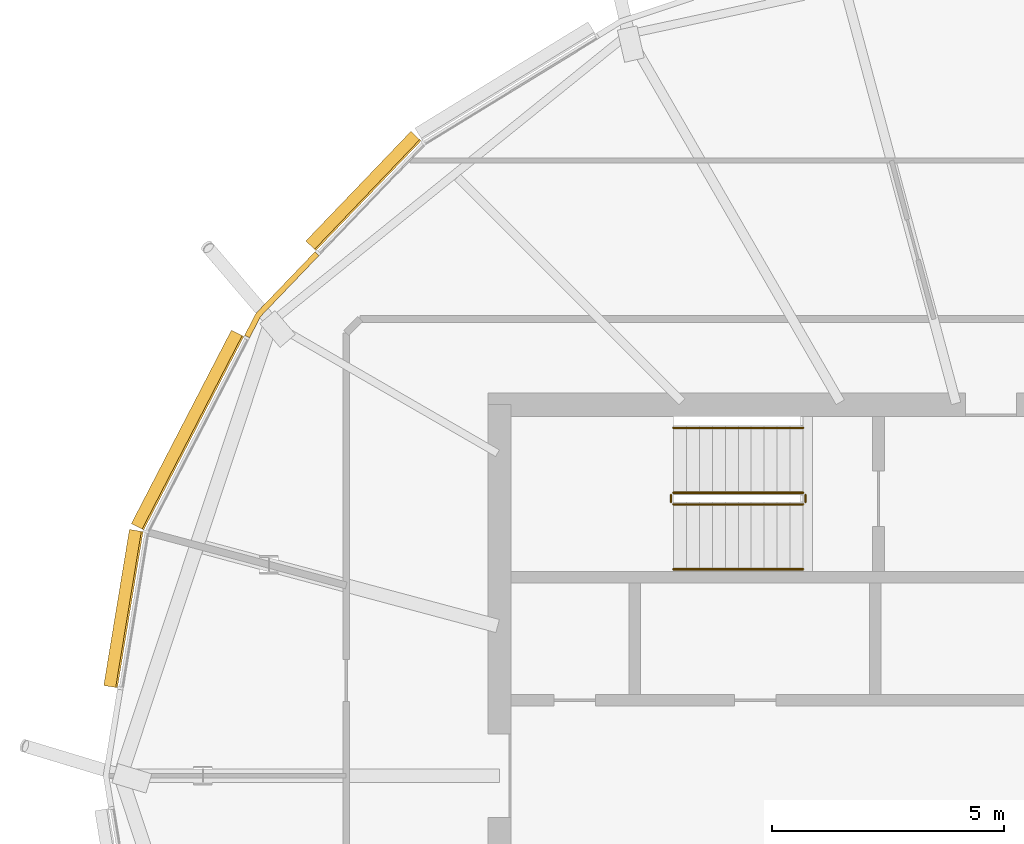
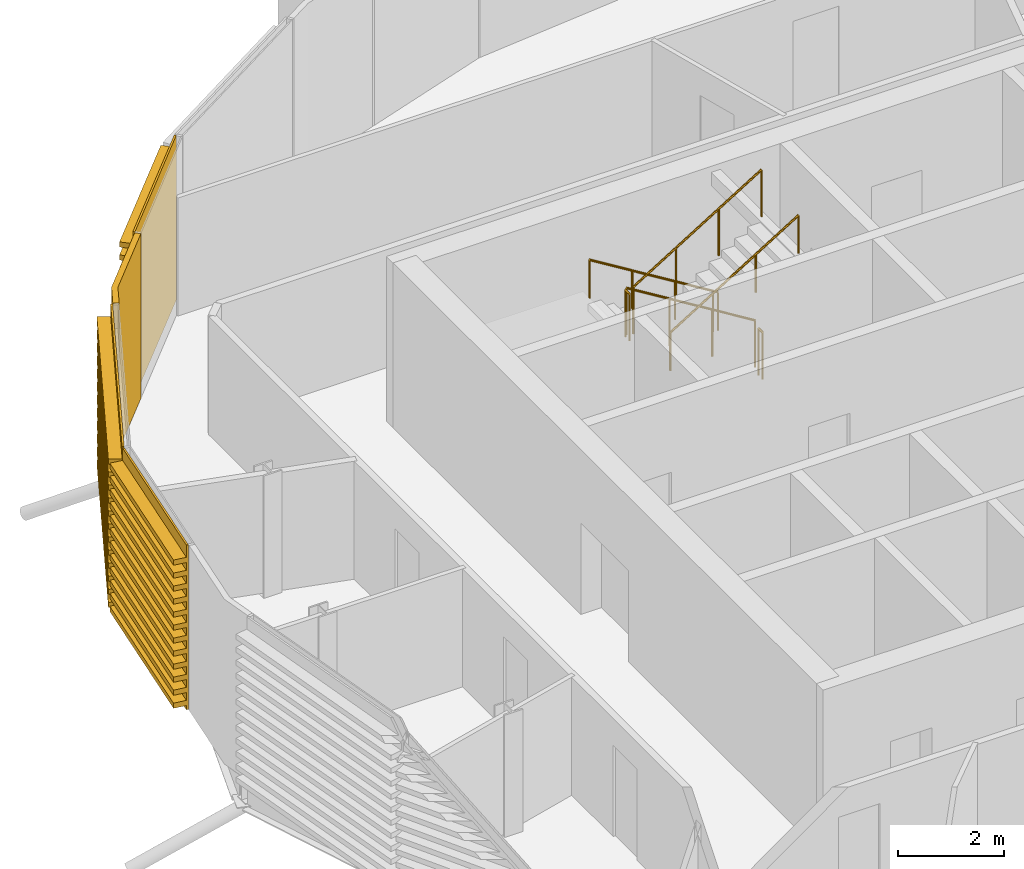
# One storey, part 29 of 33: 6 railings, 4 coverings.
"""IFC4 building model written with IfcOpenShell, lengths in metres."""

import ifcopenshell
import ifcopenshell.guid

model = None  # the IFC model being written
_history = None  # IfcOwnerHistory: only IFC2X3 demands one
_inside = {}  # id of a spatial element -> (the spatial element, [elements in it])
_under = {}  # id of a project, library or spatial element -> (it, [spatial elements below it])
_declared = {}  # id of a project -> (the project, [libraries it declares])
_typed = {}  # id of a type object -> (the type object, [elements of that type])
_made_of = {}  # id of a material, layer set ... -> (it, [elements and type objects made of it])


def new_model(schema):
    """Start an empty IFC model of exactly this schema.

    Asked for "IFC4X3", IfcOpenShell would pick the latest addendum, in which some entities
    have other attributes; the version numbers below select the first issue.
    IFC2X3 requires an IfcOwnerHistory on every rooted entity: one is made here for all.
    """
    global model, _history
    if schema == "IFC4X3":
        model = ifcopenshell.file(schema_version=(4, 3, 0, 0))
    else:
        model = ifcopenshell.file(schema=schema)
    _inside.clear()
    _under.clear()
    _declared.clear()
    _typed.clear()
    _made_of.clear()
    _history = None
    if model.schema == "IFC2X3":
        org = make("IfcOrganization", Name="unknown")
        user = make(
            "IfcPersonAndOrganization",
            ThePerson=make("IfcPerson", FamilyName="unknown"),
            TheOrganization=org,
        )
        app = make(
            "IfcApplication",
            ApplicationDeveloper=org,
            Version="unknown",
            ApplicationFullName="unknown",
            ApplicationIdentifier="unknown",
        )
        _history = make(
            "IfcOwnerHistory",
            OwningUser=user,
            OwningApplication=app,
            ChangeAction="ADDED",
            CreationDate=0,
        )
    return model


def make(cls, **values):
    """One entity of the class cls with the attributes given. An attribute that is None is left unset."""
    return model.create_entity(
        cls, **{name: value for name, value in values.items() if value is not None}
    )


def rooted(cls, **values):
    """An entity with a GlobalId (a new one), such as an element, a storey or a relation."""
    return make(cls, GlobalId=ifcopenshell.guid.new(), OwnerHistory=_history, **values)


def si_unit(unit_type, name, prefix=None):
    """IfcSIUnit, for example si_unit("LENGTHUNIT", "METRE", prefix="MILLI")."""
    return make("IfcSIUnit", UnitType=unit_type, Prefix=prefix, Name=name)


def assignment(units):
    """IfcUnitAssignment: the units of a project."""
    return None if units is None else make("IfcUnitAssignment", Units=units)


def point(xyz):
    """IfcCartesianPoint."""
    return None if xyz is None else make("IfcCartesianPoint", Coordinates=xyz)


def direction(xyz):
    """IfcDirection."""
    return None if xyz is None else make("IfcDirection", DirectionRatios=xyz)


def frame(location, z_axis=None, x_axis=None):
    """IfcAxis2Placement3D, a coordinate frame: its origin and axes. An axis left out is left unset."""
    return make(
        "IfcAxis2Placement3D",
        Location=point(location),
        Axis=direction(z_axis),
        RefDirection=direction(x_axis),
    )


def frame_2d(location, x_axis=None):
    """IfcAxis2Placement2D, a coordinate frame in the plane: its origin and x axis."""
    return make(
        "IfcAxis2Placement2D", Location=point(location), RefDirection=direction(x_axis)
    )


def origin():
    """The frame at (0, 0, 0) with its axes left unset."""
    return frame((0.0, 0.0, 0.0))


def origin_2d():
    """The frame at (0, 0) in the plane with its x axis left unset."""
    return frame_2d((0.0, 0.0))


def place(relative_to, where):
    """IfcLocalPlacement: puts the frame where relative to a parent placement (None: the world)."""
    return make(
        "IfcLocalPlacement", PlacementRelTo=relative_to, RelativePlacement=where
    )


def context(
    kind, dimensions, precision=None, world=None, true_north=None, identifier=None
):
    """IfcGeometricRepresentationContext, for example the 3D "Model" context."""
    return make(
        "IfcGeometricRepresentationContext",
        ContextIdentifier=identifier,
        ContextType=kind,
        CoordinateSpaceDimension=dimensions,
        Precision=precision,
        WorldCoordinateSystem=world,
        TrueNorth=true_north,
    )


def subcontext(parent, identifier, kind, view, scale=None):
    """IfcGeometricRepresentationSubContext, for example "Body" below "Model"."""
    return make(
        "IfcGeometricRepresentationSubContext",
        ContextIdentifier=identifier,
        ContextType=kind,
        ParentContext=parent,
        TargetScale=scale,
        TargetView=view,
    )


def project(units=None, contexts=None):
    """IfcProject with its units and contexts."""
    return rooted(
        "IfcProject",
        Name="project",
        RepresentationContexts=contexts,
        UnitsInContext=assignment(units),
    )


def spatial(cls, under=None, at=None, **own):
    """A site, building, storey or space (cls), placed at a placement, below another one or the project."""
    s = rooted(cls, ObjectPlacement=at, **own)
    if under is not None:
        _under.setdefault(under.id(), (under, []))[1].append(s)
    return s


def polyline(points):
    """IfcPolyline through the points."""
    return make("IfcPolyline", Points=[point(p) for p in points])


def profile(cls, at=None, kind="AREA", **sizes):
    """A parametric profile (cls). Its sizes go by their IFC names, for example OverallWidth=200.0."""
    return make(cls, ProfileType=kind, Position=at, **sizes)


def circle(**sizes):
    """IfcCircleProfileDef."""
    return profile("IfcCircleProfileDef", **sizes)


def outline(outer, holes=None, kind="AREA"):
    """IfcArbitraryClosedProfileDef: a profile drawn as a closed curve; with holes, ...WithVoids."""
    if holes is None:
        return make("IfcArbitraryClosedProfileDef", ProfileType=kind, OuterCurve=outer)
    return make(
        "IfcArbitraryProfileDefWithVoids",
        ProfileType=kind,
        OuterCurve=outer,
        InnerCurves=holes,
    )


def extrude(swept, where, along, depth):
    """IfcExtrudedAreaSolid: the profile swept, set in the frame where, extruded along a direction by depth."""
    return make(
        "IfcExtrudedAreaSolid",
        SweptArea=swept,
        Position=where,
        ExtrudedDirection=direction(along),
        Depth=depth,
    )


def shape(context_of_items, identifier, shape_type, items):
    """IfcShapeRepresentation: the items that make up one representation, for example the "Body"."""
    return make(
        "IfcShapeRepresentation",
        ContextOfItems=context_of_items,
        RepresentationIdentifier=identifier,
        RepresentationType=shape_type,
        Items=items,
    )


def material(Name=None, Category=None):
    """IfcMaterial."""
    return make("IfcMaterial", Name=Name, Category=Category)


def layer(
    of_material, thickness, ventilated=None, Name=None, Category=None, Priority=None
):
    """IfcMaterialLayer: one layer of a wall or slab, of a material (None: an air gap)."""
    return make(
        "IfcMaterialLayer",
        Material=of_material,
        LayerThickness=thickness,
        IsVentilated=ventilated,
        Name=Name,
        Category=Category,
        Priority=Priority,
    )


def layer_set(layers, Name=None):
    """IfcMaterialLayerSet."""
    return make("IfcMaterialLayerSet", MaterialLayers=layers, LayerSetName=Name)


def material_profile(
    of_material, cross_section, Name=None, Category=None, Priority=None
):
    """IfcMaterialProfile: a cross section and its material."""
    return make(
        "IfcMaterialProfile",
        Name=Name,
        Material=of_material,
        Profile=cross_section,
        Priority=Priority,
        Category=Category,
    )


def profile_set(profiles, Name=None, composite=None):
    """IfcMaterialProfileSet."""
    return make(
        "IfcMaterialProfileSet",
        Name=Name,
        MaterialProfiles=profiles,
        CompositeProfile=composite,
    )


def made_of(thing, what):
    """Note that an element or type object is made of a material, layer set ...; save() writes the relation."""
    if what is not None:
        _made_of.setdefault(what.id(), (what, []))[1].append(thing)
    return thing


def type_object(cls, material=None, **own):
    """A type object (cls), such as IfcWallType, which elements share."""
    return made_of(rooted(cls, **own), material)


def element(
    cls,
    number,
    at=None,
    inside=None,
    cuts=None,
    type_object=None,
    material=None,
    context=None,
    identifier="Body",
    shape_type=None,
    held_by="IfcProductDefinitionShape",
    body=None,
    shapes=None,
    **own,
):
    """One element of the class cls, such as IfcWall. Its Tag is "e" and its number.

    at: its placement. inside: the storey or other place that contains it. cuts: it is an
    opening in that element (IfcRelVoidsElement). A single representation is given by context,
    identifier, shape_type and body (its items); several are given by shapes. held_by: the class
    of the entity that holds the representations. save() writes the other relations.
    """
    e = rooted(cls, Tag="e%d" % number, ObjectPlacement=at, **own)
    if body is not None:
        shapes = [shape(context, identifier, shape_type, body)]
    if shapes is not None:
        e.Representation = make(held_by, Representations=shapes)
    if inside is not None:
        _inside.setdefault(inside.id(), (inside, []))[1].append(e)
    if cuts is not None:
        rooted(
            "IfcRelVoidsElement", RelatingBuildingElement=cuts, RelatedOpeningElement=e
        )
    if type_object is not None:
        _typed.setdefault(type_object.id(), (type_object, []))[1].append(e)
    return made_of(e, material)


def aggregate(whole, parts):
    """IfcRelAggregates: a whole, such as a stair, and the parts it consists of."""
    return rooted("IfcRelAggregates", RelatingObject=whole, RelatedObjects=parts)


def save(model, path):
    """Write the relations noted so far, then the file.

    IfcRelAggregates (storeys below a building ...), IfcRelContainedInSpatialStructure (elements
    in a storey), IfcRelDefinesByType, IfcRelAssociatesMaterial and IfcRelDeclares: one each for
    every whole, place, type object, material and project.
    """
    for whole, parts in _under.values():
        aggregate(whole, parts)
    for where, things in _inside.values():
        rooted(
            "IfcRelContainedInSpatialStructure",
            RelatedElements=things,
            RelatingStructure=where,
        )
    for kind, things in _typed.values():
        rooted("IfcRelDefinesByType", RelatedObjects=things, RelatingType=kind)
    for what, things in _made_of.values():
        rooted("IfcRelAssociatesMaterial", RelatedObjects=things, RelatingMaterial=what)
    for by, libraries in _declared.values():
        rooted("IfcRelDeclares", RelatingContext=by, RelatedDefinitions=libraries)
    model.write(path)


model = new_model("IFC4")

# Units and contexts
model_context = context("Model", 3, precision=1e-05, world=origin(), true_north=direction((0.0, 1.0)))
body_context = subcontext(model_context, "Body", "Model", "MODEL_VIEW")
ifc_project = project(units=[si_unit("LENGTHUNIT", "METRE"), si_unit("AREAUNIT", "SQUARE_METRE"), si_unit("VOLUMEUNIT", "CUBIC_METRE"), si_unit("PLANEANGLEUNIT", "RADIAN"), si_unit("MASSUNIT", "GRAM", prefix="KILO")], contexts=[model_context])

# Site, building, storey
site_placement = place(None, origin())
site = spatial("IfcSite", under=ifc_project, at=site_placement, CompositionType="ELEMENT")
building_placement = place(site_placement, origin())
building = spatial("IfcBuilding", under=site, at=building_placement, Name="Rimbun Link Towers", CompositionType="ELEMENT")
storey_placement = place(building_placement, frame((0.0, 0.0, 237.10009765625)))
storey = spatial("IfcBuildingStorey", under=building, at=storey_placement, Name="L58", CompositionType="ELEMENT", Elevation=237.10009765625)

# Covering
ifc_material_1 = material(Name="Terracotta", Category="masonry")
ifc_layer = layer(ifc_material_1, 0.1201171875)
ifc_layer_set = layer_set([ifc_layer], Name="LINK PIER terracotta cladding 120")
covering_type_1 = type_object("IfcCoveringType", Name="LINK PIER terracotta cladding 120", PredefinedType="CLADDING", material=ifc_layer_set)
covering_1_placement = place(storey_placement, origin())
element("IfcCovering", 1, at=covering_1_placement, inside=storey, type_object=covering_type_1, Name="LINK PIER cladding", PredefinedType="CLADDING", context=body_context, shape_type="SweptSolid", body=[
    extrude(outline(polyline([(-49.140625, 9.440673828125), (-48.901611328125, 9.902587890625), (-47.64208984375, 11.21630859375), (-47.728759765625, 11.29931640625), (-49.000244140625, 9.97314453125), (-49.247314453125, 9.495849609375), (-49.140625, 9.440673828125)])), origin(), (0.0, 0.0, 1.0), 3.7998046875),
])

# Railings
ifc_material_2 = material(Name="Stainless steel grade 316", Category="steel")
railing_type_1 = type_object("IfcRailingType", Name="Stair guard", PredefinedType="GUARDRAIL", material=ifc_material_2)
railing_1_placement = place(storey_placement, frame((-37.199951171875, 6.10009765625, 0.172607421875)))
element("IfcRailing", 2, at=railing_1_placement, inside=storey, type_object=railing_type_1, Name="L58 ST1 stair guard 1", PredefinedType="GUARDRAIL", context=body_context, shape_type="SweptSolid", body=[
    extrude(circle(Radius=0.02392578125, at=origin_2d()), frame((0.0, 0.0, 1.076171875), z_axis=(-0.851089632645, 0.0, 0.525020415988), x_axis=(0.0, -1.0, 0.0)), (0.0, 0.0, 1.0), 3.2900390625),
    extrude(circle(Radius=0.02099609375, at=origin_2d()), origin(), (0.0, 0.0, 1.0), 1.052001953125),
    extrude(circle(Radius=0.02099609375, at=origin_2d()), frame((-0.933349609375, 0.0, 0.57568359375)), (0.0, 0.0, 1.0), 1.052001953125),
    extrude(circle(Radius=0.02099609375, at=origin_2d()), frame((-1.86669921875, 0.0, 1.151611328125)), (0.0, 0.0, 1.0), 1.052001953125),
    extrude(circle(Radius=0.02099609375, at=origin_2d()), frame((-2.800048828125, 0.0, 1.727294921875)), (0.0, 0.0, 1.0), 1.052001953125),
])
railing_2_placement = place(storey_placement, frame((-40.050048828125, 6.050048828125, 1.89990234375)))
element("IfcRailing", 3, at=railing_2_placement, inside=storey, type_object=railing_type_1, Name="L58 ST1 stair guard 2", PredefinedType="GUARDRAIL", context=body_context, shape_type="SweptSolid", body=[
    extrude(circle(Radius=0.02392578125, at=origin_2d()), frame((0.0, 0.0, 1.076171875), z_axis=(0.0, -1.0, 0.0), x_axis=(1.0, 0.0, 0.0)), (0.0, 0.0, 1.0), 0.150146484375),
    extrude(circle(Radius=0.02099609375, at=origin_2d()), origin(), (0.0, 0.0, 1.0), 1.052001953125),
    extrude(circle(Radius=0.02099609375, at=origin_2d()), frame((0.0, -0.150146484375, 0.0)), (0.0, 0.0, 1.0), 1.052001953125),
])
railing_3_placement = place(storey_placement, frame((-40.0, 5.85009765625, 2.072509765625)))
element("IfcRailing", 4, at=railing_3_placement, inside=storey, type_object=railing_type_1, Name="L58 ST1 stair guard 3", PredefinedType="GUARDRAIL", context=body_context, shape_type="SweptSolid", body=[
    extrude(circle(Radius=0.02392578125, at=origin_2d()), frame((0.0, 0.0, 1.076171875), z_axis=(0.851089632645, 0.0, 0.525020415988), x_axis=(0.0, 1.0, 0.0)), (0.0, 0.0, 1.0), 3.2900390625),
    extrude(circle(Radius=0.02099609375, at=origin_2d()), origin(), (0.0, 0.0, 1.0), 1.052001953125),
    extrude(circle(Radius=0.02099609375, at=origin_2d()), frame((0.933349609375, 0.0, 0.57568359375)), (0.0, 0.0, 1.0), 1.052001953125),
    extrude(circle(Radius=0.02099609375, at=origin_2d()), frame((1.86669921875, 0.0, 1.151611328125)), (0.0, 0.0, 1.0), 1.052001953125),
    extrude(circle(Radius=0.02099609375, at=origin_2d()), frame((2.800048828125, 0.0, 1.727294921875)), (0.0, 0.0, 1.0), 1.052001953125),
])
railing_4_placement = place(storey_placement, frame((-37.14990234375, 6.050048828125, 0.0)))
element("IfcRailing", 5, at=railing_4_placement, inside=storey, type_object=railing_type_1, Name="L58 ST1 stair guard 4", PredefinedType="GUARDRAIL", context=body_context, shape_type="SweptSolid", body=[
    extrude(circle(Radius=0.02392578125, at=origin_2d()), frame((0.0, 0.0, 1.076171875), z_axis=(0.0, -1.0, 0.0), x_axis=(1.0, 0.0, 0.0)), (0.0, 0.0, 1.0), 0.150146484375),
    extrude(circle(Radius=0.02099609375, at=origin_2d()), origin(), (0.0, 0.0, 1.0), 1.052001953125),
    extrude(circle(Radius=0.02099609375, at=origin_2d()), frame((0.0, -0.150146484375, 0.0)), (0.0, 0.0, 1.0), 1.052001953125),
])
ifc_material_3 = material(Name="Stainless steel grade 316", Category="steel")
railing_type_2 = type_object("IfcRailingType", Name="Stair handrail", PredefinedType="HANDRAIL", material=ifc_material_3)
railing_5_placement = place(storey_placement, frame((-37.199951171875, 7.5, 0.172607421875)))
element("IfcRailing", 6, at=railing_5_placement, inside=storey, type_object=railing_type_2, Name="L58 ST1 stair handrail 1", PredefinedType="HANDRAIL", context=body_context, shape_type="SweptSolid", body=[
    extrude(circle(Radius=0.02392578125, at=origin_2d()), frame((0.0, 0.0, 0.8759765625), z_axis=(-0.851089632645, 0.0, 0.525020415988), x_axis=(0.0, -1.0, 0.0)), (0.0, 0.0, 1.0), 3.2900390625),
    extrude(circle(Radius=0.02099609375, at=origin_2d()), origin(), (0.0, 0.0, 1.0), 0.851806640625),
    extrude(circle(Radius=0.02099609375, at=origin_2d()), frame((-0.933349609375, 0.0, 0.57568359375)), (0.0, 0.0, 1.0), 0.851806640625),
    extrude(circle(Radius=0.02099609375, at=origin_2d()), frame((-1.86669921875, 0.0, 1.151611328125)), (0.0, 0.0, 1.0), 0.851806640625),
    extrude(circle(Radius=0.02099609375, at=origin_2d()), frame((-2.800048828125, 0.0, 1.727294921875)), (0.0, 0.0, 1.0), 0.851806640625),
])
railing_6_placement = place(storey_placement, frame((-40.0, 4.449951171875, 2.072509765625)))
element("IfcRailing", 7, at=railing_6_placement, inside=storey, type_object=railing_type_2, Name="L58 ST1 stair handrail 2", PredefinedType="HANDRAIL", context=body_context, shape_type="SweptSolid", body=[
    extrude(circle(Radius=0.02392578125, at=origin_2d()), frame((0.0, 0.0, 0.8759765625), z_axis=(0.851089632645, 0.0, 0.525020415988), x_axis=(0.0, 1.0, 0.0)), (0.0, 0.0, 1.0), 3.2900390625),
    extrude(circle(Radius=0.02099609375, at=origin_2d()), origin(), (0.0, 0.0, 1.0), 0.851806640625),
    extrude(circle(Radius=0.02099609375, at=origin_2d()), frame((0.933349609375, 0.0, 0.57568359375)), (0.0, 0.0, 1.0), 0.851806640625),
    extrude(circle(Radius=0.02099609375, at=origin_2d()), frame((1.86669921875, 0.0, 1.151611328125)), (0.0, 0.0, 1.0), 0.851806640625),
    extrude(circle(Radius=0.02099609375, at=origin_2d()), frame((2.800048828125, 0.0, 1.727294921875)), (0.0, 0.0, 1.0), 0.851806640625),
])

# Coverings
ifc_material_4 = material(Name="Terracotta", Category="masonry")
ifc_material_profile = material_profile(ifc_material_4, outline(polyline([(0.123046875, 0.0), (0.1630859375, 0.0), (0.1630859375, 0.10009765625), (0.423095703125, 0.10009765625), (0.423095703125, 0.219970703125), (0.1630859375, 0.219970703125), (0.1630859375, 0.39990234375), (0.423095703125, 0.39990234375), (0.423095703125, 0.52001953125), (0.1630859375, 0.52001953125), (0.1630859375, 0.699951171875), (0.423095703125, 0.699951171875), (0.423095703125, 0.820068359375), (0.1630859375, 0.820068359375), (0.1630859375, 1.0), (0.423095703125, 1.0), (0.423095703125, 1.1201171875), (0.1630859375, 1.1201171875), (0.1630859375, 1.300048828125), (0.423095703125, 1.300048828125), (0.423095703125, 1.419921875), (0.1630859375, 1.419921875), (0.1630859375, 1.60009765625), (0.423095703125, 1.60009765625), (0.423095703125, 1.719970703125), (0.1630859375, 1.719970703125), (0.1630859375, 1.89990234375), (0.423095703125, 1.89990234375), (0.423095703125, 2.02001953125), (0.1630859375, 2.02001953125), (0.1630859375, 2.199951171875), (0.423095703125, 2.199951171875), (0.423095703125, 2.320068359375), (0.1630859375, 2.320068359375), (0.1630859375, 2.5), (0.423095703125, 2.5), (0.423095703125, 2.6201171875), (0.1630859375, 2.6201171875), (0.1630859375, 2.800048828125), (0.423095703125, 2.800048828125), (0.423095703125, 2.919921875), (0.1630859375, 2.919921875), (0.1630859375, 3.10009765625), (0.423095703125, 3.10009765625), (0.423095703125, 3.219970703125), (0.1630859375, 3.219970703125), (0.1630859375, 3.39990234375), (0.423095703125, 3.39990234375), (0.423095703125, 3.52001953125), (0.1630859375, 3.52001953125), (0.1630859375, 3.800048828125), (0.123046875, 3.800048828125), (0.123046875, 0.0)])), Name="BAGUETTE 120X300")
ifc_profile_set = profile_set([ifc_material_profile], Name="Terracotta")
covering_type_2 = type_object("IfcCoveringType", Name="TERRACOTTA BAGUETTE 120X300 H3800", PredefinedType="CLADDING", material=ifc_profile_set)
covering_2_placement = place(storey_placement, frame((-47.621337890625, 11.238037109375, 0.0), z_axis=(0.692049364256, 0.721850176583, 0.0), x_axis=(-0.721850176583, 0.692049364256, 0.0)))
element("IfcCovering", 8, at=covering_2_placement, inside=storey, type_object=covering_type_2, Name="TERRACOTTA BAGUETTE", PredefinedType="CLADDING", context=body_context, shape_type="SweptSolid", body=[
    extrude(outline(polyline([(0.123046875, 0.0), (0.1630859375, 0.0), (0.1630859375, 0.10009765625), (0.423095703125, 0.10009765625), (0.423095703125, 0.219970703125), (0.1630859375, 0.219970703125), (0.1630859375, 0.39990234375), (0.423095703125, 0.39990234375), (0.423095703125, 0.52001953125), (0.1630859375, 0.52001953125), (0.1630859375, 0.699951171875), (0.423095703125, 0.699951171875), (0.423095703125, 0.820068359375), (0.1630859375, 0.820068359375), (0.1630859375, 1.0), (0.423095703125, 1.0), (0.423095703125, 1.1201171875), (0.1630859375, 1.1201171875), (0.1630859375, 1.300048828125), (0.423095703125, 1.300048828125), (0.423095703125, 1.419921875), (0.1630859375, 1.419921875), (0.1630859375, 1.60009765625), (0.423095703125, 1.60009765625), (0.423095703125, 1.719970703125), (0.1630859375, 1.719970703125), (0.1630859375, 1.89990234375), (0.423095703125, 1.89990234375), (0.423095703125, 2.02001953125), (0.1630859375, 2.02001953125), (0.1630859375, 2.199951171875), (0.423095703125, 2.199951171875), (0.423095703125, 2.320068359375), (0.1630859375, 2.320068359375), (0.1630859375, 2.5), (0.423095703125, 2.5), (0.423095703125, 2.6201171875), (0.1630859375, 2.6201171875), (0.1630859375, 2.800048828125), (0.423095703125, 2.800048828125), (0.423095703125, 2.919921875), (0.1630859375, 2.919921875), (0.1630859375, 3.10009765625), (0.423095703125, 3.10009765625), (0.423095703125, 3.219970703125), (0.1630859375, 3.219970703125), (0.1630859375, 3.39990234375), (0.423095703125, 3.39990234375), (0.423095703125, 3.52001953125), (0.1630859375, 3.52001953125), (0.1630859375, 3.800048828125), (0.123046875, 3.800048828125), (0.123046875, 0.0)])), origin(), (0.0, 0.0, 1.0), 3.27685546875),
])
covering_3_placement = place(storey_placement, frame((-51.313232421875, 5.241943359375, 0.0), z_axis=(0.459540267256, 0.88815693589, 0.0), x_axis=(-0.88815693589, 0.459540267256, 0.0)))
element("IfcCovering", 9, at=covering_3_placement, inside=storey, type_object=covering_type_2, Name="TERRACOTTA BAGUETTE", PredefinedType="CLADDING", context=body_context, shape_type="SweptSolid", body=[
    extrude(outline(polyline([(0.123046875, 0.0), (0.1630859375, 0.0), (0.1630859375, 0.10009765625), (0.423095703125, 0.10009765625), (0.423095703125, 0.219970703125), (0.1630859375, 0.219970703125), (0.1630859375, 0.39990234375), (0.423095703125, 0.39990234375), (0.423095703125, 0.52001953125), (0.1630859375, 0.52001953125), (0.1630859375, 0.699951171875), (0.423095703125, 0.699951171875), (0.423095703125, 0.820068359375), (0.1630859375, 0.820068359375), (0.1630859375, 1.0), (0.423095703125, 1.0), (0.423095703125, 1.1201171875), (0.1630859375, 1.1201171875), (0.1630859375, 1.300048828125), (0.423095703125, 1.300048828125), (0.423095703125, 1.419921875), (0.1630859375, 1.419921875), (0.1630859375, 1.60009765625), (0.423095703125, 1.60009765625), (0.423095703125, 1.719970703125), (0.1630859375, 1.719970703125), (0.1630859375, 1.89990234375), (0.423095703125, 1.89990234375), (0.423095703125, 2.02001953125), (0.1630859375, 2.02001953125), (0.1630859375, 2.199951171875), (0.423095703125, 2.199951171875), (0.423095703125, 2.320068359375), (0.1630859375, 2.320068359375), (0.1630859375, 2.5), (0.423095703125, 2.5), (0.423095703125, 2.6201171875), (0.1630859375, 2.6201171875), (0.1630859375, 2.800048828125), (0.423095703125, 2.800048828125), (0.423095703125, 2.919921875), (0.1630859375, 2.919921875), (0.1630859375, 3.10009765625), (0.423095703125, 3.10009765625), (0.423095703125, 3.219970703125), (0.1630859375, 3.219970703125), (0.1630859375, 3.39990234375), (0.423095703125, 3.39990234375), (0.423095703125, 3.52001953125), (0.1630859375, 3.52001953125), (0.1630859375, 3.800048828125), (0.123046875, 3.800048828125), (0.123046875, 0.0)])), origin(), (0.0, 0.0, 1.0), 4.697509765625),
])
covering_4_placement = place(storey_placement, frame((-51.866943359375, 1.874755859375, 0.0), z_axis=(0.162263856869, 0.986747404736, 0.0), x_axis=(-0.986747404736, 0.162263856869, 0.0)))
element("IfcCovering", 10, at=covering_4_placement, inside=storey, type_object=covering_type_2, Name="TERRACOTTA BAGUETTE", PredefinedType="CLADDING", context=body_context, shape_type="SweptSolid", body=[
    extrude(outline(polyline([(0.123046875, 0.0), (0.1630859375, 0.0), (0.1630859375, 0.10009765625), (0.423095703125, 0.10009765625), (0.423095703125, 0.219970703125), (0.1630859375, 0.219970703125), (0.1630859375, 0.39990234375), (0.423095703125, 0.39990234375), (0.423095703125, 0.52001953125), (0.1630859375, 0.52001953125), (0.1630859375, 0.699951171875), (0.423095703125, 0.699951171875), (0.423095703125, 0.820068359375), (0.1630859375, 0.820068359375), (0.1630859375, 1.0), (0.423095703125, 1.0), (0.423095703125, 1.1201171875), (0.1630859375, 1.1201171875), (0.1630859375, 1.300048828125), (0.423095703125, 1.300048828125), (0.423095703125, 1.419921875), (0.1630859375, 1.419921875), (0.1630859375, 1.60009765625), (0.423095703125, 1.60009765625), (0.423095703125, 1.719970703125), (0.1630859375, 1.719970703125), (0.1630859375, 1.89990234375), (0.423095703125, 1.89990234375), (0.423095703125, 2.02001953125), (0.1630859375, 2.02001953125), (0.1630859375, 2.199951171875), (0.423095703125, 2.199951171875), (0.423095703125, 2.320068359375), (0.1630859375, 2.320068359375), (0.1630859375, 2.5), (0.423095703125, 2.5), (0.423095703125, 2.6201171875), (0.1630859375, 2.6201171875), (0.1630859375, 2.800048828125), (0.423095703125, 2.800048828125), (0.423095703125, 2.919921875), (0.1630859375, 2.919921875), (0.1630859375, 3.10009765625), (0.423095703125, 3.10009765625), (0.423095703125, 3.219970703125), (0.1630859375, 3.219970703125), (0.1630859375, 3.39990234375), (0.423095703125, 3.39990234375), (0.423095703125, 3.52001953125), (0.1630859375, 3.52001953125), (0.1630859375, 3.800048828125), (0.123046875, 3.800048828125), (0.123046875, 0.0)])), origin(), (0.0, 0.0, 1.0), 3.412353515625),
])

save(model, "model.ifc")
